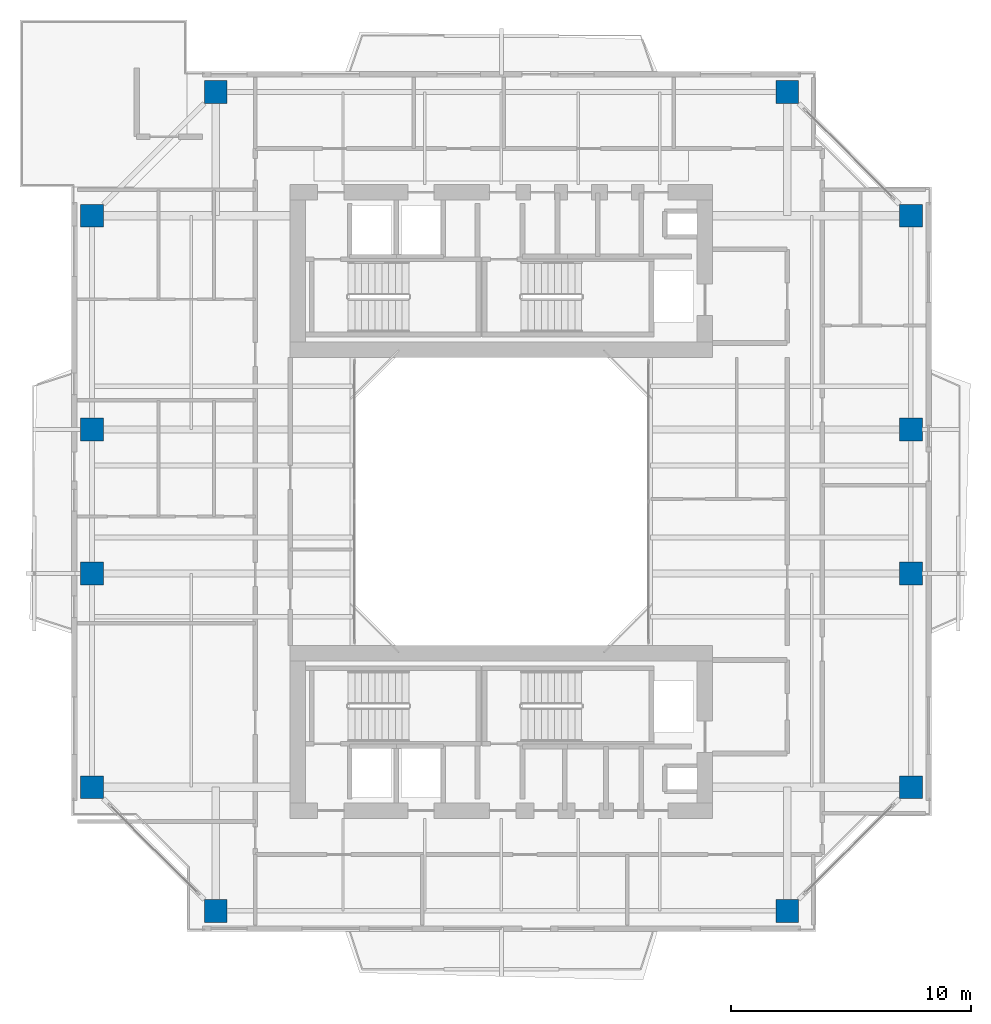
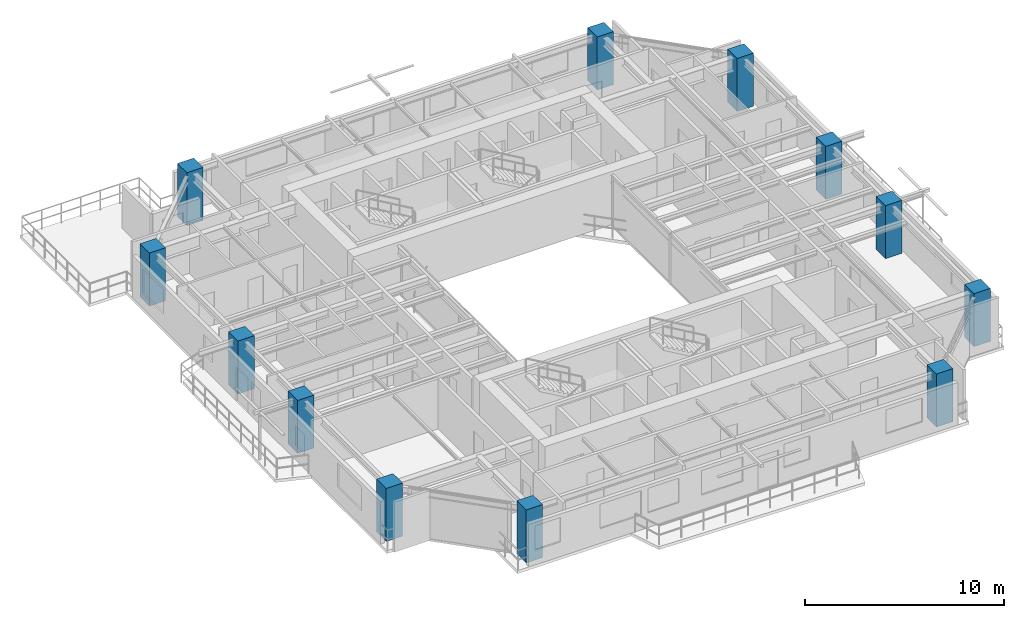
# One storey, part 1 of 17: 12 columns.
"""IFC4 building model written with IfcOpenShell, lengths in metres."""

from ifc_helpers import new_model, si_unit, direction, frame, origin, origin_2d, place, context, subcontext, project, spatial, rectangle, extrude, source, transform, mapped, material, material_profile, profile_set, type_object, element, save


model = new_model("IFC4")

# Units and contexts
model_context = context("Model", 3, precision=1e-05, world=origin(), true_north=direction((0.0, 1.0)))
body_context = subcontext(model_context, "Body", "Model", "MODEL_VIEW")
ifc_project = project(units=[si_unit("LENGTHUNIT", "METRE"), si_unit("AREAUNIT", "SQUARE_METRE"), si_unit("VOLUMEUNIT", "CUBIC_METRE"), si_unit("PLANEANGLEUNIT", "RADIAN"), si_unit("MASSUNIT", "GRAM", prefix="KILO"), si_unit("THERMODYNAMICTEMPERATUREUNIT", "KELVIN"), si_unit("POWERUNIT", "WATT")], contexts=[model_context])

# Site, building, storey
site_placement = place(None, origin())
site = spatial("IfcSite", under=ifc_project, at=site_placement, CompositionType="ELEMENT")
building_placement = place(site_placement, origin())
building = spatial("IfcBuilding", under=site, at=building_placement, Name="Qiaomeng Ring Towers", CompositionType="ELEMENT")
storey_placement = place(building_placement, frame((0.0, 0.0, 143.75)))
storey = spatial("IfcBuildingStorey", under=building, at=storey_placement, Name="L41", CompositionType="ELEMENT", Elevation=143.75)

# Columns
ifc_material = material(Name="Concrete C50", Category="concrete")
ifc_material_profile = material_profile(ifc_material, rectangle(XDim=0.949951171875, YDim=0.949951171875, at=origin_2d()), Name="RC COL 950x950")
ifc_profile_set = profile_set([ifc_material_profile], Name="Concrete C50")
column_type = type_object("IfcColumnType", Name="STR-COL-950-C50", PredefinedType="COLUMN", material=ifc_profile_set)
shared_shape = source(origin(), body_context, "Body", "SweptSolid", [
    extrude(rectangle(XDim=0.949951171875, YDim=0.949951171875, at=origin_2d()), origin(), (0.0, 0.0, 1.0), 3.25),
])
for number, where, z_axis, x_axis, name in (
    (1, (7.10009765625, 5.949951171875, 0.0), (0.0, 0.0, 1.0), (1.0, 0.0, 0.0), "L41 column STR-COL-L41-T1-S1"),
    (2, (30.89990234375, 5.949951171875, 0.0), (0.0, 0.0, 1.0), (1.0, 0.0, 0.0), "L41 column STR-COL-L41-T1-S2"),
    (3, (36.050048828125, 11.10009765625, 0.0), (0.0, 0.0, 1.0), (1.0, 0.0, 0.0), "L41 column STR-COL-L41-T1-E1"),
    (4, (36.050048828125, 20.0, 0.0), (0.0, 0.0, 1.0), (1.0, 0.0, 0.0), "L41 column STR-COL-L41-T1-E2"),
    (5, (36.050048828125, 26.0, 0.0), (0.0, 0.0, 1.0), (1.0, 0.0, 0.0), "L41 column STR-COL-L41-T1-E3"),
    (6, (36.050048828125, 34.89990234375, 0.0), (0.0, 0.0, 1.0), (1.0, 0.0, 0.0), "L41 column STR-COL-L41-T1-E4"),
    (7, (30.89990234375, 40.050048828125, 0.0), (0.0, 0.0, 1.0), (1.0, 0.0, 0.0), "L41 column STR-COL-L41-T1-N2"),
    (8, (7.10009765625, 40.050048828125, 0.0), (0.0, 0.0, 1.0), (1.0, 0.0, 0.0), "L41 column STR-COL-L41-T1-N1"),
    (9, (1.949951171875, 34.89990234375, 0.0), (0.0, 0.0, 1.0), (1.0, 0.0, 0.0), "L41 column STR-COL-L41-T1-W4"),
    (10, (1.949951171875, 26.0, 0.0), (0.0, 0.0, 1.0), (1.0, 0.0, 0.0), "L41 column STR-COL-L41-T1-W3"),
    (11, (1.949951171875, 20.0, 0.0), (0.0, 0.0, 1.0), (1.0, 0.0, 0.0), "L41 column STR-COL-L41-T1-W2"),
    (12, (1.949951171875, 11.10009765625, 0.0), (0.0, 0.0, 1.0), (1.0, 0.0, 0.0), "L41 column STR-COL-L41-T1-W1"),
):
    element("IfcColumn", number, at=place(storey_placement, frame(where, z_axis=z_axis, x_axis=x_axis)), inside=storey, type_object=column_type, Name=name, PredefinedType="COLUMN", context=body_context, shape_type="MappedRepresentation", body=[
        mapped(shared_shape, transform((0.0, 0.0, 0.0), x_axis=(1.0, 0.0, 0.0), y_axis=(0.0, 1.0, 0.0), z_axis=(0.0, 0.0, 1.0), scale=1.0)),
    ])

save(model, "model.ifc")
